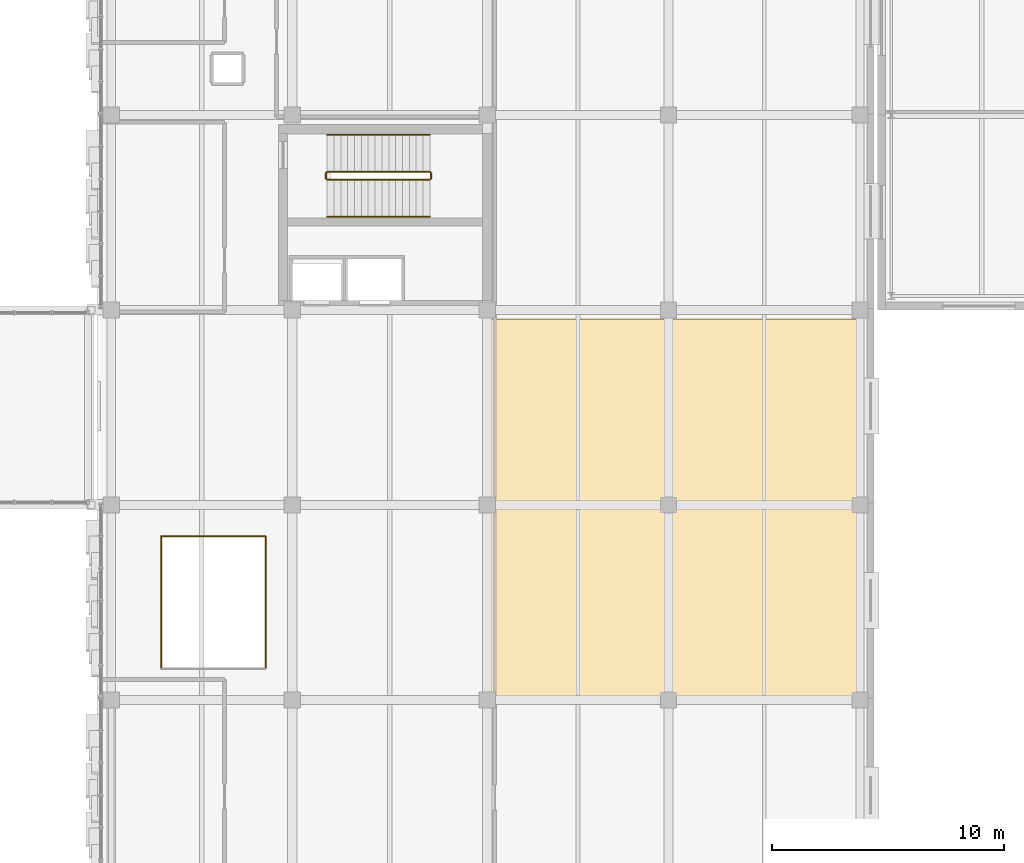
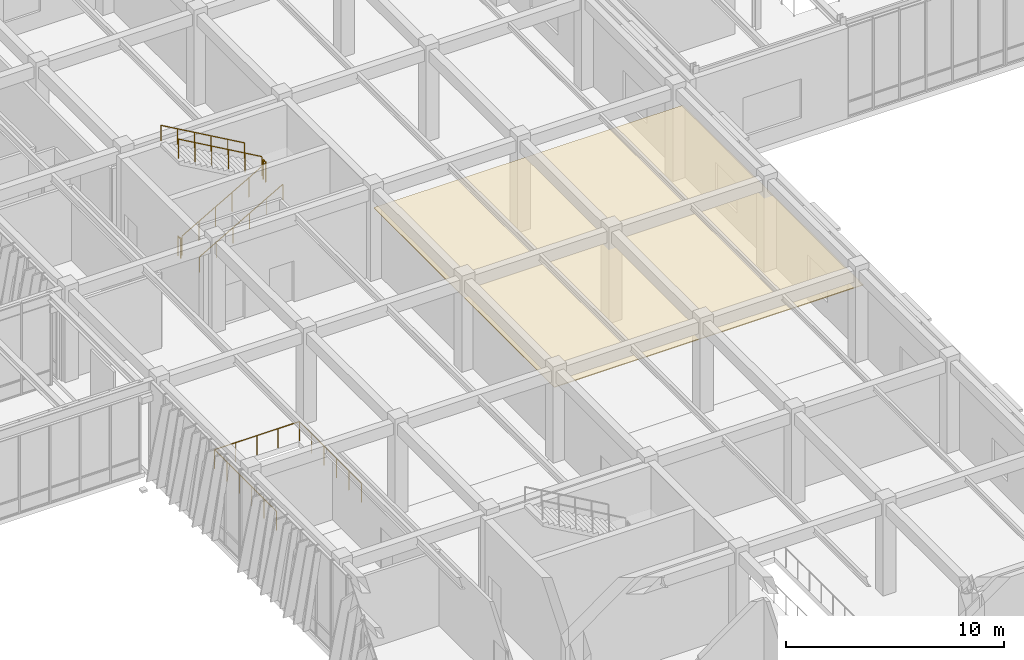
# One storey, part 133 of 139: 9 railings, 1 covering.
"""IFC4 building model written with IfcOpenShell, lengths in metres."""

from ifc_helpers import new_model, si_unit, direction, frame, origin, origin_2d, place, context, subcontext, project, spatial, polyline, circle, outline, extrude, material, layer, layer_set, type_object, element, save


model = new_model("IFC4")

# Units and contexts
model_context = context("Model", 3, precision=1e-05, world=origin(), true_north=direction((0.0, 1.0)))
body_context = subcontext(model_context, "Body", "Model", "MODEL_VIEW")
ifc_project = project(units=[si_unit("LENGTHUNIT", "METRE"), si_unit("AREAUNIT", "SQUARE_METRE"), si_unit("VOLUMEUNIT", "CUBIC_METRE"), si_unit("PLANEANGLEUNIT", "RADIAN"), si_unit("MASSUNIT", "GRAM", prefix="KILO")], contexts=[model_context])

# Site, building, storey
site_placement = place(None, origin())
site = spatial("IfcSite", under=ifc_project, at=site_placement, CompositionType="ELEMENT")
building_placement = place(site_placement, origin())
building = spatial("IfcBuilding", under=site, at=building_placement, Name="Zayran Congress Hotel", CompositionType="ELEMENT")
storey_placement = place(building_placement, frame((0.0, 0.0, 5.39990234375)))
storey = spatial("IfcBuildingStorey", under=building, at=storey_placement, Name="L01", CompositionType="ELEMENT", Elevation=5.39990234375)

# Railings
ifc_material_1 = material(Name="Painted steel balustrade", Category="steel")
railing_type_1 = type_object("IfcRailingType", Name="TP-GRD-INT", PredefinedType="GUARDRAIL", material=ifc_material_1)
railing_1_placement = place(storey_placement, frame((119.10009765625, 90.010009765625, 0.1689453125)))
element("IfcRailing", 1, at=railing_1_placement, inside=storey, type_object=railing_type_1, Name="L01 ST-07 stair guard 1", PredefinedType="GUARDRAIL", context=body_context, shape_type="SweptSolid", body=[
    extrude(circle(Radius=0.02392578125, at=origin_2d()), frame((0.0, 0.0, 1.076171875), z_axis=(0.868007264643, 0.0, 0.496551496349), x_axis=(0.0, 1.0, 0.0)), (0.0, 0.0, 1.0), 5.09765625),
    extrude(circle(Radius=0.02099609375, at=origin_2d()), origin(), (0.0, 0.0, 1.0), 1.052001953125),
    extrude(circle(Radius=0.02099609375, at=origin_2d()), frame((0.885009765625, 0.0, 0.50634765625)), (0.0, 0.0, 1.0), 1.052001953125),
    extrude(circle(Radius=0.02099609375, at=origin_2d()), frame((1.77001953125, 0.0, 1.012451171875)), (0.0, 0.0, 1.0), 1.052001953125),
    extrude(circle(Radius=0.02099609375, at=origin_2d()), frame((2.65478515625, 0.0, 1.518798828125)), (0.0, 0.0, 1.0), 1.052001953125),
    extrude(circle(Radius=0.02099609375, at=origin_2d()), frame((3.539794921875, 0.0, 2.02490234375)), (0.0, 0.0, 1.0), 1.052001953125),
    extrude(circle(Radius=0.02099609375, at=origin_2d()), frame((4.4248046875, 0.0, 2.53125)), (0.0, 0.0, 1.0), 1.052001953125),
])
railing_2_placement = place(storey_placement, frame((123.574951171875, 90.06005859375, 2.7001953125)))
element("IfcRailing", 2, at=railing_2_placement, inside=storey, type_object=railing_type_1, Name="L01 ST-07 stair guard 2", PredefinedType="GUARDRAIL", context=body_context, shape_type="SweptSolid", body=[
    extrude(circle(Radius=0.02392578125, at=origin_2d()), frame((0.0, 0.0, 1.076171875), z_axis=(0.0, 1.0, 0.0), x_axis=(-1.0, 0.0, 0.0)), (0.0, 0.0, 1.0), 0.239990234375),
    extrude(circle(Radius=0.02099609375, at=origin_2d()), origin(), (0.0, 0.0, 1.0), 1.052001953125),
    extrude(circle(Radius=0.02099609375, at=origin_2d()), frame((0.0, 0.239990234375, 0.0)), (0.0, 0.0, 1.0), 1.052001953125),
])
railing_3_placement = place(storey_placement, frame((123.52490234375, 90.35009765625, 2.868896484375)))
element("IfcRailing", 3, at=railing_3_placement, inside=storey, type_object=railing_type_1, Name="L01 ST-07 stair guard 3", PredefinedType="GUARDRAIL", context=body_context, shape_type="SweptSolid", body=[
    extrude(circle(Radius=0.02392578125, at=origin_2d()), frame((0.0, 0.0, 1.076171875), z_axis=(-0.868007264643, 0.0, 0.496551496349), x_axis=(0.0, -1.0, 0.0)), (0.0, 0.0, 1.0), 5.09765625),
    extrude(circle(Radius=0.02099609375, at=origin_2d()), origin(), (0.0, 0.0, 1.0), 1.052001953125),
    extrude(circle(Radius=0.02099609375, at=origin_2d()), frame((-0.885009765625, 0.0, 0.50634765625)), (0.0, 0.0, 1.0), 1.052001953125),
    extrude(circle(Radius=0.02099609375, at=origin_2d()), frame((-1.77001953125, 0.0, 1.012451171875)), (0.0, 0.0, 1.0), 1.052001953125),
    extrude(circle(Radius=0.02099609375, at=origin_2d()), frame((-2.65478515625, 0.0, 1.518798828125)), (0.0, 0.0, 1.0), 1.052001953125),
    extrude(circle(Radius=0.02099609375, at=origin_2d()), frame((-3.539794921875, 0.0, 2.02490234375)), (0.0, 0.0, 1.0), 1.052001953125),
    extrude(circle(Radius=0.02099609375, at=origin_2d()), frame((-4.4248046875, 0.0, 2.53125)), (0.0, 0.0, 1.0), 1.052001953125),
])
railing_4_placement = place(storey_placement, frame((119.050048828125, 90.06005859375, 0.0)))
element("IfcRailing", 4, at=railing_4_placement, inside=storey, type_object=railing_type_1, Name="L01 ST-07 stair guard 4", PredefinedType="GUARDRAIL", context=body_context, shape_type="SweptSolid", body=[
    extrude(circle(Radius=0.02392578125, at=origin_2d()), frame((0.0, 0.0, 1.076171875), z_axis=(0.0, 1.0, 0.0), x_axis=(-1.0, 0.0, 0.0)), (0.0, 0.0, 1.0), 0.239990234375),
    extrude(circle(Radius=0.02099609375, at=origin_2d()), origin(), (0.0, 0.0, 1.0), 1.052001953125),
    extrude(circle(Radius=0.02099609375, at=origin_2d()), frame((0.0, 0.239990234375, 0.0)), (0.0, 0.0, 1.0), 1.052001953125),
])
railing_5_placement = place(storey_placement, frame((116.449951171875, 68.949951171875, 0.0)))
element("IfcRailing", 5, at=railing_5_placement, inside=storey, type_object=railing_type_1, Name="V4 L01 Interior Void Guardrail V4-L01-WL-E", PredefinedType="GUARDRAIL", context=body_context, shape_type="SweptSolid", body=[
    extrude(circle(Radius=0.02392578125, at=origin_2d()), frame((0.0, 0.0, 1.076171875), z_axis=(0.0, 1.0, 0.0), x_axis=(-1.0, 0.0, 0.0)), (0.0, 0.0, 1.0), 5.699951171875),
    extrude(circle(Radius=0.02099609375, at=origin_2d()), origin(), (0.0, 0.0, 1.0), 1.052001953125),
    extrude(circle(Radius=0.02099609375, at=origin_2d()), frame((0.0, 1.139892578125, 0.0)), (0.0, 0.0, 1.0), 1.052001953125),
    extrude(circle(Radius=0.02099609375, at=origin_2d()), frame((0.0, 2.280029296875, 0.0)), (0.0, 0.0, 1.0), 1.052001953125),
    extrude(circle(Radius=0.02099609375, at=origin_2d()), frame((0.0, 3.419921875, 0.0)), (0.0, 0.0, 1.0), 1.052001953125),
    extrude(circle(Radius=0.02099609375, at=origin_2d()), frame((0.0, 4.56005859375, 0.0)), (0.0, 0.0, 1.0), 1.052001953125),
    extrude(circle(Radius=0.02099609375, at=origin_2d()), frame((0.0, 5.699951171875, 0.0)), (0.0, 0.0, 1.0), 1.052001953125),
])
railing_6_placement = place(storey_placement, frame((116.449951171875, 74.64990234375, 0.0)))
element("IfcRailing", 6, at=railing_6_placement, inside=storey, type_object=railing_type_1, Name="V4 L01 Interior Void Guardrail V4-L01-WL-N", PredefinedType="GUARDRAIL", context=body_context, shape_type="SweptSolid", body=[
    extrude(circle(Radius=0.02392578125, at=origin_2d()), frame((0.0, 0.0, 1.076171875), z_axis=(-1.0, 0.0, 0.0), x_axis=(0.0, -1.0, 0.0)), (0.0, 0.0, 1.0), 4.5),
    extrude(circle(Radius=0.02099609375, at=origin_2d()), origin(), (0.0, 0.0, 1.0), 1.052001953125),
    extrude(circle(Radius=0.02099609375, at=origin_2d()), frame((-1.125, 0.0, 0.0)), (0.0, 0.0, 1.0), 1.052001953125),
    extrude(circle(Radius=0.02099609375, at=origin_2d()), frame((-2.25, 0.0, 0.0)), (0.0, 0.0, 1.0), 1.052001953125),
    extrude(circle(Radius=0.02099609375, at=origin_2d()), frame((-3.375, 0.0, 0.0)), (0.0, 0.0, 1.0), 1.052001953125),
    extrude(circle(Radius=0.02099609375, at=origin_2d()), frame((-4.5, 0.0, 0.0)), (0.0, 0.0, 1.0), 1.052001953125),
])
railing_7_placement = place(storey_placement, frame((111.949951171875, 74.64990234375, 0.0)))
element("IfcRailing", 7, at=railing_7_placement, inside=storey, type_object=railing_type_1, Name="V4 L01 Interior Void Guardrail V4-L01-WL-W", PredefinedType="GUARDRAIL", context=body_context, shape_type="SweptSolid", body=[
    extrude(circle(Radius=0.02392578125, at=origin_2d()), frame((0.0, 0.0, 1.076171875), z_axis=(0.0, -1.0, 0.0), x_axis=(1.0, 0.0, 0.0)), (0.0, 0.0, 1.0), 5.699951171875),
    extrude(circle(Radius=0.02099609375, at=origin_2d()), origin(), (0.0, 0.0, 1.0), 1.052001953125),
    extrude(circle(Radius=0.02099609375, at=origin_2d()), frame((0.0, -1.139892578125, 0.0)), (0.0, 0.0, 1.0), 1.052001953125),
    extrude(circle(Radius=0.02099609375, at=origin_2d()), frame((0.0, -2.280029296875, 0.0)), (0.0, 0.0, 1.0), 1.052001953125),
    extrude(circle(Radius=0.02099609375, at=origin_2d()), frame((0.0, -3.419921875, 0.0)), (0.0, 0.0, 1.0), 1.052001953125),
    extrude(circle(Radius=0.02099609375, at=origin_2d()), frame((0.0, -4.56005859375, 0.0)), (0.0, 0.0, 1.0), 1.052001953125),
    extrude(circle(Radius=0.02099609375, at=origin_2d()), frame((0.0, -5.699951171875, 0.0)), (0.0, 0.0, 1.0), 1.052001953125),
])
ifc_material_2 = material(Name="Brushed stainless steel handrail", Category="steel")
railing_type_2 = type_object("IfcRailingType", Name="TP-HND-STR", PredefinedType="HANDRAIL", material=ifc_material_2)
railing_8_placement = place(storey_placement, frame((119.10009765625, 88.409912109375, 0.1689453125)))
element("IfcRailing", 8, at=railing_8_placement, inside=storey, type_object=railing_type_2, Name="L01 ST-07 stair handrail 1", PredefinedType="HANDRAIL", context=body_context, shape_type="SweptSolid", body=[
    extrude(circle(Radius=0.02392578125, at=origin_2d()), frame((0.0, 0.0, 0.8759765625), z_axis=(0.868007264643, 0.0, 0.496551496349), x_axis=(0.0, 1.0, 0.0)), (0.0, 0.0, 1.0), 5.09765625),
    extrude(circle(Radius=0.02099609375, at=origin_2d()), origin(), (0.0, 0.0, 1.0), 0.851806640625),
    extrude(circle(Radius=0.02099609375, at=origin_2d()), frame((0.885009765625, 0.0, 0.50634765625)), (0.0, 0.0, 1.0), 0.851806640625),
    extrude(circle(Radius=0.02099609375, at=origin_2d()), frame((1.77001953125, 0.0, 1.012451171875)), (0.0, 0.0, 1.0), 0.851806640625),
    extrude(circle(Radius=0.02099609375, at=origin_2d()), frame((2.65478515625, 0.0, 1.518798828125)), (0.0, 0.0, 1.0), 0.851806640625),
    extrude(circle(Radius=0.02099609375, at=origin_2d()), frame((3.539794921875, 0.0, 2.02490234375)), (0.0, 0.0, 1.0), 0.851806640625),
    extrude(circle(Radius=0.02099609375, at=origin_2d()), frame((4.4248046875, 0.0, 2.53125)), (0.0, 0.0, 1.0), 0.851806640625),
])
railing_9_placement = place(storey_placement, frame((123.52490234375, 91.949951171875, 2.868896484375)))
element("IfcRailing", 9, at=railing_9_placement, inside=storey, type_object=railing_type_2, Name="L01 ST-07 stair handrail 2", PredefinedType="HANDRAIL", context=body_context, shape_type="SweptSolid", body=[
    extrude(circle(Radius=0.02392578125, at=origin_2d()), frame((0.0, 0.0, 0.8759765625), z_axis=(-0.868007264643, 0.0, 0.496551496349), x_axis=(0.0, -1.0, 0.0)), (0.0, 0.0, 1.0), 5.09765625),
    extrude(circle(Radius=0.02099609375, at=origin_2d()), origin(), (0.0, 0.0, 1.0), 0.851806640625),
    extrude(circle(Radius=0.02099609375, at=origin_2d()), frame((-0.885009765625, 0.0, 0.50634765625)), (0.0, 0.0, 1.0), 0.851806640625),
    extrude(circle(Radius=0.02099609375, at=origin_2d()), frame((-1.77001953125, 0.0, 1.012451171875)), (0.0, 0.0, 1.0), 0.851806640625),
    extrude(circle(Radius=0.02099609375, at=origin_2d()), frame((-2.65478515625, 0.0, 1.518798828125)), (0.0, 0.0, 1.0), 0.851806640625),
    extrude(circle(Radius=0.02099609375, at=origin_2d()), frame((-3.539794921875, 0.0, 2.02490234375)), (0.0, 0.0, 1.0), 0.851806640625),
    extrude(circle(Radius=0.02099609375, at=origin_2d()), frame((-4.4248046875, 0.0, 2.53125)), (0.0, 0.0, 1.0), 0.851806640625),
])

# Covering
ifc_material_3 = material(Name="Perforated acoustic gypsum ceiling board", Category="gypsum")
ifc_layer = layer(ifc_material_3, 0.044921875)
ifc_layer_set = layer_set([ifc_layer], Name="Perforated acoustic gypsum ceiling board")
covering_type = type_object("IfcCoveringType", Name="TP-CLG-AC1", PredefinedType="CEILING", material=ifc_layer_set)
covering_placement = place(storey_placement, frame((0.0, 0.0, 4.10009765625)))
element("IfcCovering", 10, at=covering_placement, inside=storey, type_object=covering_type, Name="Acoustic Suspended Ceiling L01-04", PredefinedType="CEILING", context=body_context, shape_type="SweptSolid", body=[
    extrude(outline(polyline([(125.800048828125, 67.39990234375), (142.199951171875, 67.39990234375), (142.199951171875, 84.0), (125.800048828125, 84.0), (125.800048828125, 67.39990234375)])), origin(), (0.0, 0.0, 1.0), 0.044921875),
])

save(model, "model.ifc")
